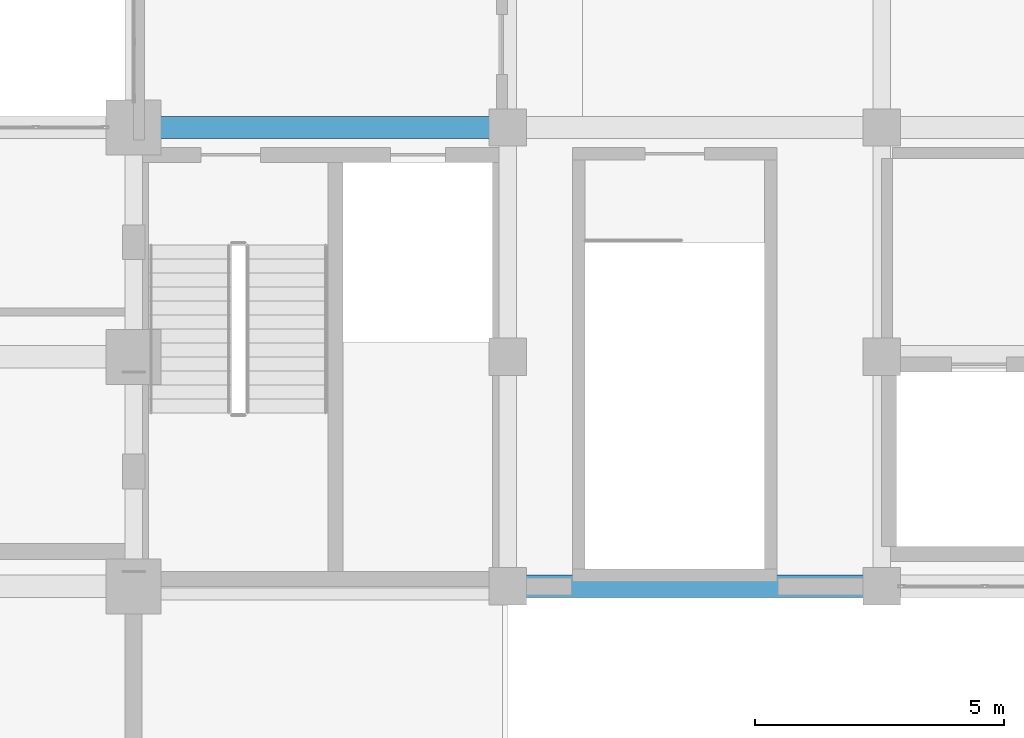
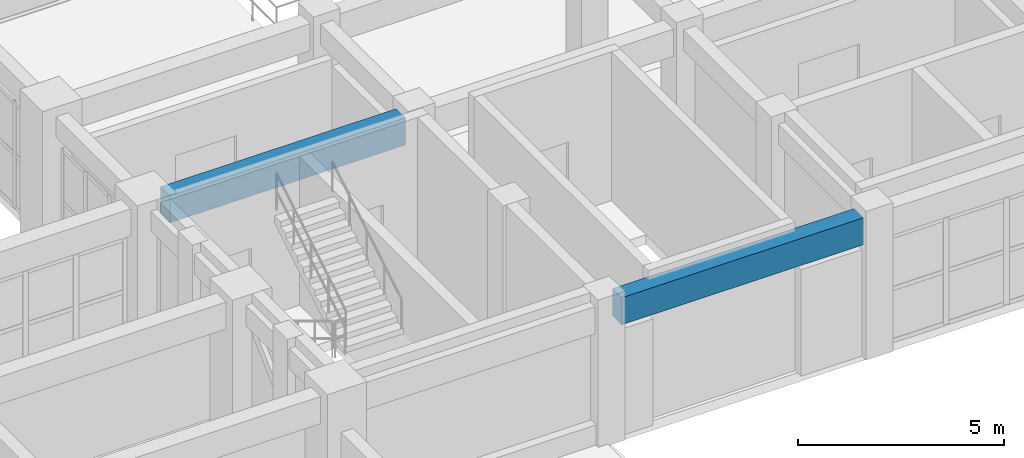
# One storey, part 7 of 90: 2 beams.
"""IFC4 building model written with IfcOpenShell, lengths in metres."""

from ifc_helpers import new_model, si_unit, direction, frame, origin, origin_2d, place, context, subcontext, project, spatial, rectangle, extrude, material, material_profile, profile_set, type_object, element, save


model = new_model("IFC4")

# Units and contexts
model_context = context("Model", 3, precision=1e-05, world=origin(), true_north=direction((0.0, 1.0)))
body_context = subcontext(model_context, "Body", "Model", "MODEL_VIEW")
ifc_project = project(units=[si_unit("LENGTHUNIT", "METRE"), si_unit("AREAUNIT", "SQUARE_METRE"), si_unit("VOLUMEUNIT", "CUBIC_METRE"), si_unit("PLANEANGLEUNIT", "RADIAN"), si_unit("MASSUNIT", "GRAM", prefix="KILO")], contexts=[model_context])

# Site, building, storey
site_placement = place(None, origin())
site = spatial("IfcSite", under=ifc_project, at=site_placement, CompositionType="ELEMENT")
building_placement = place(site_placement, origin())
building = spatial("IfcBuilding", under=site, at=building_placement, Name="Muzn Square Opera House", CompositionType="ELEMENT")
storey_placement = place(building_placement, frame((0.0, 0.0, 9.800048828125)))
storey = spatial("IfcBuildingStorey", under=building, at=storey_placement, Name="L02", CompositionType="ELEMENT", Elevation=9.800048828125)

# Beams
ifc_material = material(Name="Concrete C40/50", Category="concrete")
ifc_material_profile = material_profile(ifc_material, rectangle(XDim=0.449951171875, YDim=0.800048828125, at=origin_2d()), Name="RCB 450x800", Category="concrete")
ifc_profile_set = profile_set([ifc_material_profile], Name="Concrete C40/50")
beam_type = type_object("IfcBeamType", Name="Primary Girder 450x800", PredefinedType="BEAM", material=ifc_profile_set)
beam_1_placement = place(storey_placement, frame((50.866943359375, 22.0, 3.719970703125), z_axis=(1.0, 0.0, 0.0), x_axis=(0.0, 1.0, 0.0)))
element("IfcBeam", 1, at=beam_1_placement, inside=storey, type_object=beam_type, Name="Primary Girder BM-L02-BM-PG800-509_220_576_220-1950", PredefinedType="BEAM", context=body_context, shape_type="SweptSolid", body=[
    extrude(rectangle(XDim=0.449951171875, YDim=0.800048828125, at=origin_2d()), origin(), (0.0, 0.0, 1.0), 6.76611328125),
])
beam_2_placement = place(storey_placement, frame((43.5419921875, 31.199951171875, 3.719970703125), z_axis=(1.0, 0.0, 0.0), x_axis=(0.0, 1.0, 0.0)))
element("IfcBeam", 2, at=beam_2_placement, inside=storey, type_object=beam_type, Name="Primary Girder BM-L02-BM-PG800-435_312_501_312-1984", PredefinedType="BEAM", context=body_context, shape_type="SweptSolid", body=[
    extrude(rectangle(XDim=0.449951171875, YDim=0.800048828125, at=origin_2d()), origin(), (0.0, 0.0, 1.0), 6.591064453125),
])

save(model, "model.ifc")
